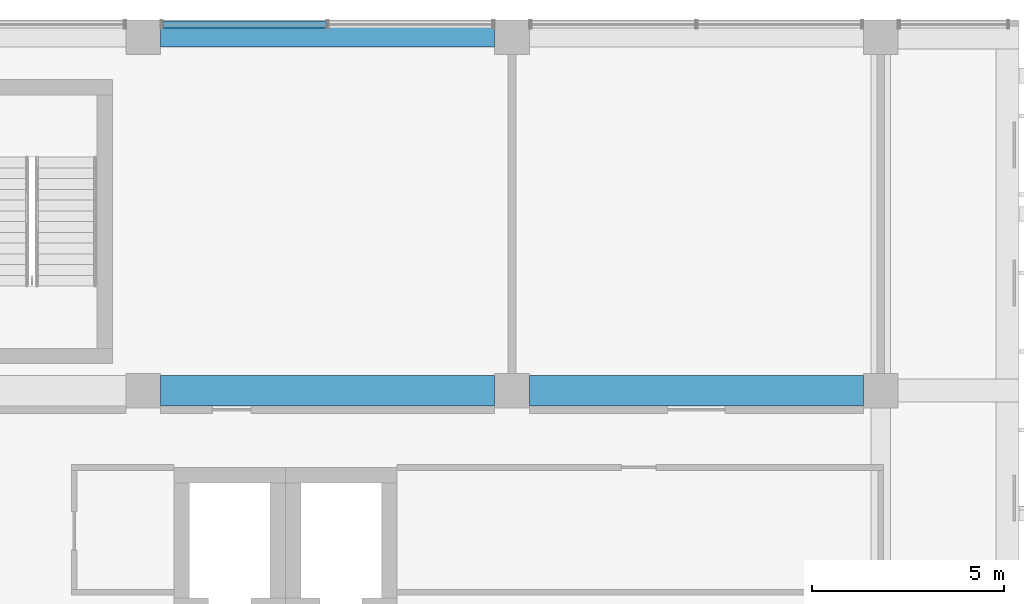
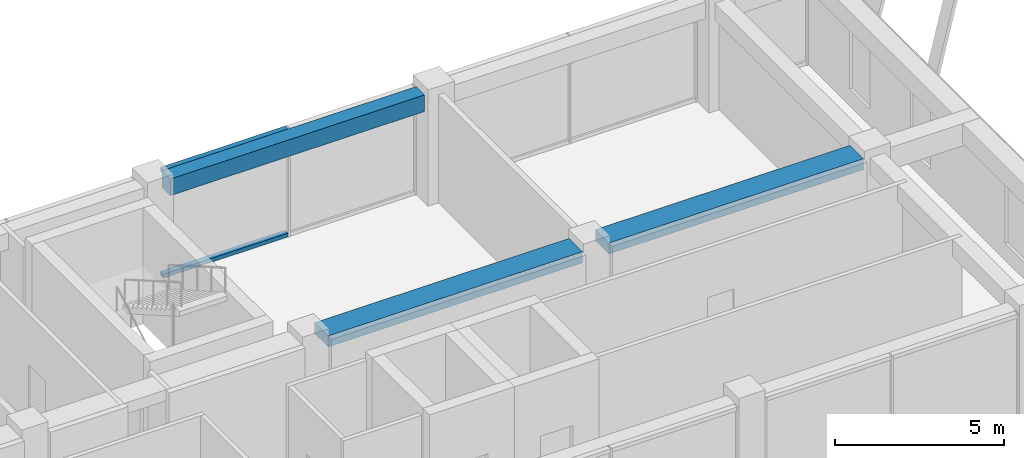
# One storey, part 23 of 38: 3 beams, 2 members, 1 element without a shape of its own.
"""IFC4 building model written with IfcOpenShell, lengths in metres."""

import ifcopenshell
import ifcopenshell.guid

model = None  # the IFC model being written
_history = None  # IfcOwnerHistory: only IFC2X3 demands one
_inside = {}  # id of a spatial element -> (the spatial element, [elements in it])
_under = {}  # id of a project, library or spatial element -> (it, [spatial elements below it])
_declared = {}  # id of a project -> (the project, [libraries it declares])
_typed = {}  # id of a type object -> (the type object, [elements of that type])
_made_of = {}  # id of a material, layer set ... -> (it, [elements and type objects made of it])


def new_model(schema):
    """Start an empty IFC model of exactly this schema.

    Asked for "IFC4X3", IfcOpenShell would pick the latest addendum, in which some entities
    have other attributes; the version numbers below select the first issue.
    IFC2X3 requires an IfcOwnerHistory on every rooted entity: one is made here for all.
    """
    global model, _history
    if schema == "IFC4X3":
        model = ifcopenshell.file(schema_version=(4, 3, 0, 0))
    else:
        model = ifcopenshell.file(schema=schema)
    _inside.clear()
    _under.clear()
    _declared.clear()
    _typed.clear()
    _made_of.clear()
    _history = None
    if model.schema == "IFC2X3":
        org = make("IfcOrganization", Name="unknown")
        user = make(
            "IfcPersonAndOrganization",
            ThePerson=make("IfcPerson", FamilyName="unknown"),
            TheOrganization=org,
        )
        app = make(
            "IfcApplication",
            ApplicationDeveloper=org,
            Version="unknown",
            ApplicationFullName="unknown",
            ApplicationIdentifier="unknown",
        )
        _history = make(
            "IfcOwnerHistory",
            OwningUser=user,
            OwningApplication=app,
            ChangeAction="ADDED",
            CreationDate=0,
        )
    return model


def make(cls, **values):
    """One entity of the class cls with the attributes given. An attribute that is None is left unset."""
    return model.create_entity(
        cls, **{name: value for name, value in values.items() if value is not None}
    )


def rooted(cls, **values):
    """An entity with a GlobalId (a new one), such as an element, a storey or a relation."""
    return make(cls, GlobalId=ifcopenshell.guid.new(), OwnerHistory=_history, **values)


def si_unit(unit_type, name, prefix=None):
    """IfcSIUnit, for example si_unit("LENGTHUNIT", "METRE", prefix="MILLI")."""
    return make("IfcSIUnit", UnitType=unit_type, Prefix=prefix, Name=name)


def assignment(units):
    """IfcUnitAssignment: the units of a project."""
    return None if units is None else make("IfcUnitAssignment", Units=units)


def point(xyz):
    """IfcCartesianPoint."""
    return None if xyz is None else make("IfcCartesianPoint", Coordinates=xyz)


def direction(xyz):
    """IfcDirection."""
    return None if xyz is None else make("IfcDirection", DirectionRatios=xyz)


def frame(location, z_axis=None, x_axis=None):
    """IfcAxis2Placement3D, a coordinate frame: its origin and axes. An axis left out is left unset."""
    return make(
        "IfcAxis2Placement3D",
        Location=point(location),
        Axis=direction(z_axis),
        RefDirection=direction(x_axis),
    )


def frame_2d(location, x_axis=None):
    """IfcAxis2Placement2D, a coordinate frame in the plane: its origin and x axis."""
    return make(
        "IfcAxis2Placement2D", Location=point(location), RefDirection=direction(x_axis)
    )


def origin():
    """The frame at (0, 0, 0) with its axes left unset."""
    return frame((0.0, 0.0, 0.0))


def origin_2d():
    """The frame at (0, 0) in the plane with its x axis left unset."""
    return frame_2d((0.0, 0.0))


def place(relative_to, where):
    """IfcLocalPlacement: puts the frame where relative to a parent placement (None: the world)."""
    return make(
        "IfcLocalPlacement", PlacementRelTo=relative_to, RelativePlacement=where
    )


def context(
    kind, dimensions, precision=None, world=None, true_north=None, identifier=None
):
    """IfcGeometricRepresentationContext, for example the 3D "Model" context."""
    return make(
        "IfcGeometricRepresentationContext",
        ContextIdentifier=identifier,
        ContextType=kind,
        CoordinateSpaceDimension=dimensions,
        Precision=precision,
        WorldCoordinateSystem=world,
        TrueNorth=true_north,
    )


def subcontext(parent, identifier, kind, view, scale=None):
    """IfcGeometricRepresentationSubContext, for example "Body" below "Model"."""
    return make(
        "IfcGeometricRepresentationSubContext",
        ContextIdentifier=identifier,
        ContextType=kind,
        ParentContext=parent,
        TargetScale=scale,
        TargetView=view,
    )


def project(units=None, contexts=None):
    """IfcProject with its units and contexts."""
    return rooted(
        "IfcProject",
        Name="project",
        RepresentationContexts=contexts,
        UnitsInContext=assignment(units),
    )


def spatial(cls, under=None, at=None, **own):
    """A site, building, storey or space (cls), placed at a placement, below another one or the project."""
    s = rooted(cls, ObjectPlacement=at, **own)
    if under is not None:
        _under.setdefault(under.id(), (under, []))[1].append(s)
    return s


def profile(cls, at=None, kind="AREA", **sizes):
    """A parametric profile (cls). Its sizes go by their IFC names, for example OverallWidth=200.0."""
    return make(cls, ProfileType=kind, Position=at, **sizes)


def rectangle(**sizes):
    """IfcRectangleProfileDef."""
    return profile("IfcRectangleProfileDef", **sizes)


def hollow_rectangle(**sizes):
    """IfcRectangleHollowProfileDef."""
    return profile("IfcRectangleHollowProfileDef", **sizes)


def extrude(swept, where, along, depth):
    """IfcExtrudedAreaSolid: the profile swept, set in the frame where, extruded along a direction by depth."""
    return make(
        "IfcExtrudedAreaSolid",
        SweptArea=swept,
        Position=where,
        ExtrudedDirection=direction(along),
        Depth=depth,
    )


def shape(context_of_items, identifier, shape_type, items):
    """IfcShapeRepresentation: the items that make up one representation, for example the "Body"."""
    return make(
        "IfcShapeRepresentation",
        ContextOfItems=context_of_items,
        RepresentationIdentifier=identifier,
        RepresentationType=shape_type,
        Items=items,
    )


def material(Name=None, Category=None):
    """IfcMaterial."""
    return make("IfcMaterial", Name=Name, Category=Category)


def layer(
    of_material, thickness, ventilated=None, Name=None, Category=None, Priority=None
):
    """IfcMaterialLayer: one layer of a wall or slab, of a material (None: an air gap)."""
    return make(
        "IfcMaterialLayer",
        Material=of_material,
        LayerThickness=thickness,
        IsVentilated=ventilated,
        Name=Name,
        Category=Category,
        Priority=Priority,
    )


def layer_set(layers, Name=None):
    """IfcMaterialLayerSet."""
    return make("IfcMaterialLayerSet", MaterialLayers=layers, LayerSetName=Name)


def material_profile(
    of_material, cross_section, Name=None, Category=None, Priority=None
):
    """IfcMaterialProfile: a cross section and its material."""
    return make(
        "IfcMaterialProfile",
        Name=Name,
        Material=of_material,
        Profile=cross_section,
        Priority=Priority,
        Category=Category,
    )


def profile_set(profiles, Name=None, composite=None):
    """IfcMaterialProfileSet."""
    return make(
        "IfcMaterialProfileSet",
        Name=Name,
        MaterialProfiles=profiles,
        CompositeProfile=composite,
    )


def made_of(thing, what):
    """Note that an element or type object is made of a material, layer set ...; save() writes the relation."""
    if what is not None:
        _made_of.setdefault(what.id(), (what, []))[1].append(thing)
    return thing


def type_object(cls, material=None, **own):
    """A type object (cls), such as IfcWallType, which elements share."""
    return made_of(rooted(cls, **own), material)


def element(
    cls,
    number,
    at=None,
    inside=None,
    cuts=None,
    type_object=None,
    material=None,
    context=None,
    identifier="Body",
    shape_type=None,
    held_by="IfcProductDefinitionShape",
    body=None,
    shapes=None,
    **own,
):
    """One element of the class cls, such as IfcWall. Its Tag is "e" and its number.

    at: its placement. inside: the storey or other place that contains it. cuts: it is an
    opening in that element (IfcRelVoidsElement). A single representation is given by context,
    identifier, shape_type and body (its items); several are given by shapes. held_by: the class
    of the entity that holds the representations. save() writes the other relations.
    """
    e = rooted(cls, Tag="e%d" % number, ObjectPlacement=at, **own)
    if body is not None:
        shapes = [shape(context, identifier, shape_type, body)]
    if shapes is not None:
        e.Representation = make(held_by, Representations=shapes)
    if inside is not None:
        _inside.setdefault(inside.id(), (inside, []))[1].append(e)
    if cuts is not None:
        rooted(
            "IfcRelVoidsElement", RelatingBuildingElement=cuts, RelatedOpeningElement=e
        )
    if type_object is not None:
        _typed.setdefault(type_object.id(), (type_object, []))[1].append(e)
    return made_of(e, material)


def aggregate(whole, parts):
    """IfcRelAggregates: a whole, such as a stair, and the parts it consists of."""
    return rooted("IfcRelAggregates", RelatingObject=whole, RelatedObjects=parts)


def save(model, path):
    """Write the relations noted so far, then the file.

    IfcRelAggregates (storeys below a building ...), IfcRelContainedInSpatialStructure (elements
    in a storey), IfcRelDefinesByType, IfcRelAssociatesMaterial and IfcRelDeclares: one each for
    every whole, place, type object, material and project.
    """
    for whole, parts in _under.values():
        aggregate(whole, parts)
    for where, things in _inside.values():
        rooted(
            "IfcRelContainedInSpatialStructure",
            RelatedElements=things,
            RelatingStructure=where,
        )
    for kind, things in _typed.values():
        rooted("IfcRelDefinesByType", RelatedObjects=things, RelatingType=kind)
    for what, things in _made_of.values():
        rooted("IfcRelAssociatesMaterial", RelatedObjects=things, RelatingMaterial=what)
    for by, libraries in _declared.values():
        rooted("IfcRelDeclares", RelatingContext=by, RelatedDefinitions=libraries)
    model.write(path)


model = new_model("IFC4")

# Units and contexts
model_context = context("Model", 3, precision=1e-05, world=origin(), true_north=direction((0.0, 1.0)))
body_context = subcontext(model_context, "Body", "Model", "MODEL_VIEW")
ifc_project = project(units=[si_unit("LENGTHUNIT", "METRE"), si_unit("AREAUNIT", "SQUARE_METRE"), si_unit("VOLUMEUNIT", "CUBIC_METRE"), si_unit("PLANEANGLEUNIT", "RADIAN"), si_unit("MASSUNIT", "GRAM", prefix="KILO")], contexts=[model_context])

# Site, building, storey
site_placement = place(None, origin())
site = spatial("IfcSite", under=ifc_project, at=site_placement, CompositionType="ELEMENT")
building_placement = place(site_placement, origin())
building = spatial("IfcBuilding", under=site, at=building_placement, Name="Nzadi Deep Aquarium and Research Tower", CompositionType="ELEMENT")
storey_placement = place(building_placement, frame((0.0, 0.0, 52.89990234375)))
storey = spatial("IfcBuildingStorey", under=building, at=storey_placement, Name="L10", CompositionType="ELEMENT", Elevation=52.89990234375)

# Beams
ifc_material_1 = material(Name="Concrete C35/45", Category="concrete")
ifc_material_profile_1 = material_profile(ifc_material_1, rectangle(XDim=0.5, YDim=0.60009765625, at=origin_2d()))
ifc_profile_set_1 = profile_set([ifc_material_profile_1], Name="Concrete C35/45")
beam_type_1 = type_object("IfcBeamType", Name="RC 500x600", PredefinedType="BEAM", material=ifc_profile_set_1)
beam_placement = place(storey_placement, frame((29.25, 46.0, 3.60009765625), z_axis=(1.0, 0.0, 0.0), x_axis=(0.0, 1.0, 0.0)))
element("IfcBeam", 1, at=beam_placement, inside=storey, type_object=beam_type_1, Name="B-Z1-L10-L6-4", PredefinedType="BEAM", context=body_context, shape_type="SweptSolid", body=[
    extrude(rectangle(XDim=0.5, YDim=0.60009765625, at=origin_2d()), origin(), (0.0, 0.0, 1.0), 8.699951171875),
])
ifc_material_2 = material(Name="Concrete C35/45", Category="concrete")
ifc_material_profile_2 = material_profile(ifc_material_2, rectangle(XDim=0.800048828125, YDim=0.39990234375, at=origin_2d()))
ifc_profile_set_2 = profile_set([ifc_material_profile_2], Name="Concrete C35/45")
beam_type_2 = type_object("IfcBeamType", Name="RC 800x400", PredefinedType="BEAM", material=ifc_profile_set_2)
for number, where, z_axis, x_axis, name in (
    (2, (29.25, 36.800048828125, 3.7001953125), (1.0, 0.0, 0.0), (0.0, 1.0, 0.0), "B-Z1-L10-L5-4"),
    (3, (38.85009765625, 36.800048828125, 3.7001953125), (1.0, 0.0, 0.0), (0.0, 1.0, 0.0), "B-Z1-L10-L5-5"),
):
    element("IfcBeam", number, at=place(storey_placement, frame(where, z_axis=z_axis, x_axis=x_axis)), inside=storey, type_object=beam_type_2, Name=name, PredefinedType="BEAM", context=body_context, shape_type="SweptSolid", body=[
        extrude(rectangle(XDim=0.800048828125, YDim=0.39990234375, at=origin_2d()), origin(), (0.0, 0.0, 1.0), 8.699951171875),
    ])

# Curtain wall, members
ifc_material_3 = material(Name="Aluminium unitised frame deep", Category="aluminium")
ifc_layer = layer(ifc_material_3, 0.22509765625)
ifc_layer_set = layer_set([ifc_layer], Name="Aluminium unitised frame deep")
curtain_wall_type = type_object("IfcCurtainWallType", Name="Curtain wall Unitised Deep 225", PredefinedType="NOTDEFINED", material=ifc_layer_set)
curtain_wall_placement = place(storey_placement, origin())
curtain_wall = element("IfcCurtainWall", 4, at=curtain_wall_placement, inside=storey, type_object=curtain_wall_type, Name="Unitised curtain wall blade B north L10", PredefinedType="NOTDEFINED")
ifc_material_4 = material(Name="Aluminium unitised frame deep", Category="aluminium")
ifc_material_profile_3 = material_profile(ifc_material_4, hollow_rectangle(XDim=0.179931640625, YDim=0.139892578125, WallThickness=0.0048828125, at=origin_2d()))
ifc_profile_set_3 = profile_set([ifc_material_profile_3], Name="Aluminium unitised frame deep")
member_type = type_object("IfcMemberType", Name="Transom 140x180 Unitised Deep", PredefinedType="MULLION", material=ifc_profile_set_3)
member_1_placement = place(storey_placement, frame((29.31005859375, 46.33740234375, 0.070068359375), z_axis=(1.0, 0.0, 0.0), x_axis=(0.0, 1.0, 0.0)))
member_1 = element("IfcMember", 5, at=member_1_placement, type_object=member_type, Name="CW137 transom 1.1", PredefinedType="MULLION", context=body_context, shape_type="SweptSolid", body=[
    extrude(hollow_rectangle(XDim=0.179931640625, YDim=0.139892578125, WallThickness=0.0048828125, at=origin_2d()), origin(), (0.0, 0.0, 1.0), 4.260009765625),
])
member_2_placement = place(storey_placement, frame((29.31005859375, 46.33740234375, 3.830078125), z_axis=(1.0, 0.0, 0.0), x_axis=(0.0, 1.0, 0.0)))
member_2 = element("IfcMember", 6, at=member_2_placement, type_object=member_type, Name="CW137 transom 1.2", PredefinedType="MULLION", context=body_context, shape_type="SweptSolid", body=[
    extrude(hollow_rectangle(XDim=0.179931640625, YDim=0.139892578125, WallThickness=0.0048828125, at=origin_2d()), origin(), (0.0, 0.0, 1.0), 4.260009765625),
])
aggregate(curtain_wall, [member_1, member_2])

save(model, "model.ifc")
